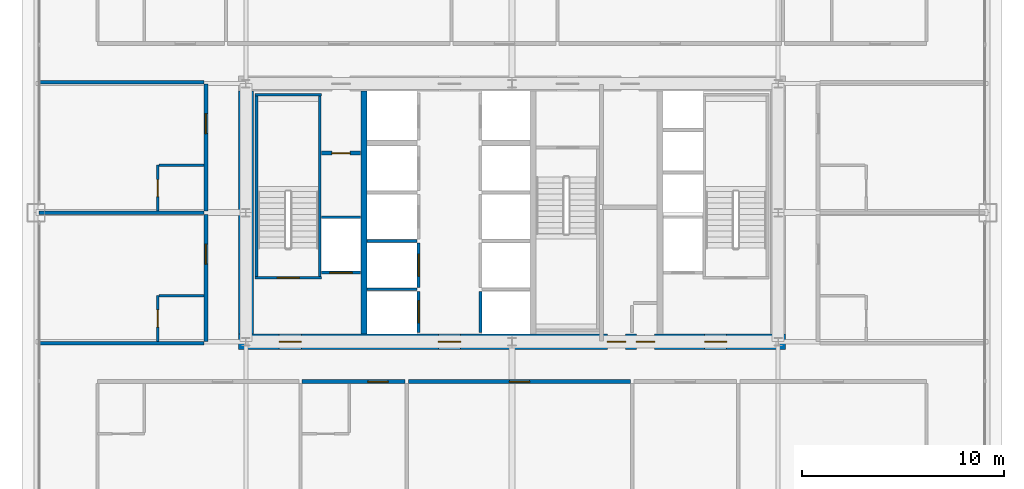
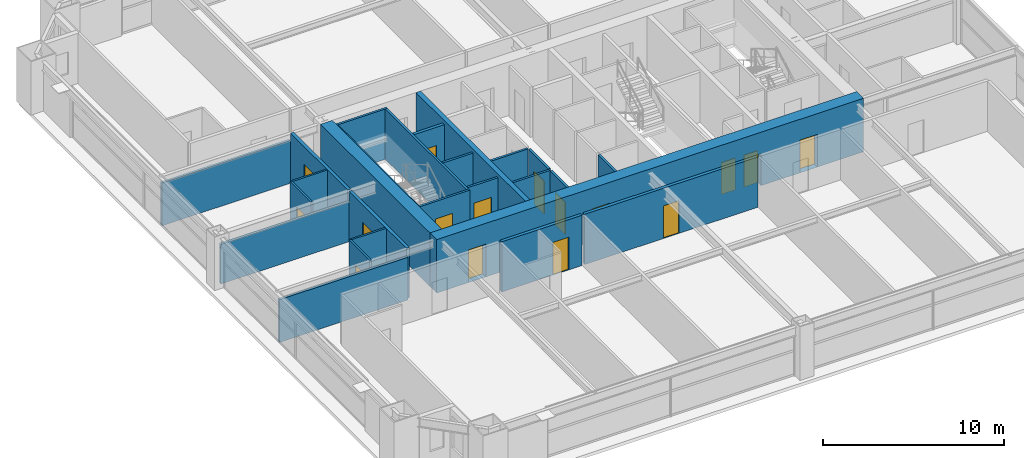
# One storey, part 35 of 39: 26 walls, 16 doors, 16 openings.
"""IFC4 building model written with IfcOpenShell, lengths in metres."""

from ifc_helpers import new_model, si_unit, direction, frame, frame_2d, origin, place, context, subcontext, project, spatial, rectangle, extrude, source, transform, mapped, material, layer, layer_set, type_object, element, fill, save


model = new_model("IFC4")

# Units and contexts
model_context = context("Model", 3, precision=1e-05, world=origin(), true_north=direction((0.0, 1.0)))
body_context = subcontext(model_context, "Body", "Model", "MODEL_VIEW")
ifc_project = project(units=[si_unit("LENGTHUNIT", "METRE"), si_unit("AREAUNIT", "SQUARE_METRE"), si_unit("VOLUMEUNIT", "CUBIC_METRE"), si_unit("PLANEANGLEUNIT", "RADIAN"), si_unit("MASSUNIT", "GRAM", prefix="KILO"), si_unit("THERMODYNAMICTEMPERATUREUNIT", "KELVIN"), si_unit("POWERUNIT", "WATT")], contexts=[model_context])

# Site, building, storey
site_placement = place(None, origin())
site = spatial("IfcSite", under=ifc_project, at=site_placement, CompositionType="ELEMENT")
building_placement = place(site_placement, origin())
building = spatial("IfcBuilding", under=site, at=building_placement, Name="Yuzanri Waterfront Tower", CompositionType="ELEMENT")
storey_placement = place(building_placement, frame((0.0, 0.0, 134.39990234375)))
storey = spatial("IfcBuildingStorey", under=building, at=storey_placement, Name="L35", CompositionType="ELEMENT", Elevation=134.39990234375)

# Wall, opening, door
ifc_material_1 = material(Name="Moisture-Resistant Gypsum Stud Wall", Category="gypsum")
ifc_layer_1 = layer(ifc_material_1, 0.1201171875)
ifc_layer_set_1 = layer_set([ifc_layer_1], Name="Moisture-Resistant Gypsum Stud Wall")
wall_type_1 = type_object("IfcWallType", Name="Bathroom and Kitchen Wet Partition 120", PredefinedType="PARTITIONING", material=ifc_layer_set_1)
wall_1_placement = place(storey_placement, frame((19.43994140625, 19.409912109375, 0.0), z_axis=(0.0, 0.0, 1.0), x_axis=(0.0, 1.0, 0.0)))
wall_1 = element("IfcWall", 1, at=wall_1_placement, inside=storey, type_object=wall_type_1, Name="L35 Partition UW-L35-W1-BW", PredefinedType="PARTITIONING", context=body_context, shape_type="SweptSolid", body=[
    extrude(rectangle(XDim=2.280029296875, YDim=0.1201171875, at=frame_2d((1.14013671875, 0.0))), origin(), (0.0, 0.0, 1.0), 3.380126953125),
])
opening_1_placement = place(wall_1_placement, frame((0.715087890625, 0.0, 0.0)))
opening_1 = element("IfcOpeningElement", 2, at=opening_1_placement, cuts=wall_1, Name="Opening ID-0850", PredefinedType="OPENING", context=body_context, shape_type="SweptSolid", body=[
    extrude(rectangle(XDim=0.85009765625, YDim=2.10009765625, at=frame_2d((0.425048828125, 1.050048828125))), frame((0.0, 0.074951171875, 0.0), z_axis=(0.0, -1.0, 0.0), x_axis=(1.0, 0.0, 0.0)), (0.0, 0.0, 1.0), 0.14990234375),
])
ifc_material_2 = material(Name="Moisture-Resistant Lacquered Timber", Category="wood")
door_type_1 = type_object("IfcDoorType", Name="En-Suite Bathroom and Kitchen Swing Door 850x2100", OperationType="NOTDEFINED", PredefinedType="DOOR", material=ifc_material_2)
shared_shape_1 = source(origin(), body_context, "Body", "SweptSolid", [
    extrude(rectangle(XDim=0.85009765625, YDim=2.10009765625, at=frame_2d((0.425048828125, 1.050048828125))), frame((0.0, 0.02490234375, 0.0), z_axis=(0.0, -1.0, 0.0), x_axis=(1.0, 0.0, 0.0)), (0.0, 0.0, 1.0), 0.050048828125),
])
door_1_placement = place(opening_1_placement, origin())
door_1 = element("IfcDoor", 3, at=door_1_placement, inside=storey, type_object=door_type_1, Name="L35 Guest En-Suite Door", OperationType="SINGLE_SWING_RIGHT", OverallHeight=2.10009765625, OverallWidth=0.85009765625, PredefinedType="DOOR", context=body_context, shape_type="MappedRepresentation", body=[
    mapped(shared_shape_1, transform((0.0, 0.0, 0.0), scale=1.0)),
])
fill(opening_1, door_1)

wall_2_placement = place(storey_placement, frame((19.43994140625, 25.8798828125, 0.0), z_axis=(0.0, 0.0, 1.0), x_axis=(0.0, 1.0, 0.0)))
wall_2 = element("IfcWall", 4, at=wall_2_placement, inside=storey, type_object=wall_type_1, Name="L35 Partition UW-L35-W2-BW", PredefinedType="PARTITIONING", context=body_context, shape_type="SweptSolid", body=[
    extrude(rectangle(XDim=2.280029296875, YDim=0.1201171875, at=frame_2d((1.14013671875, 0.0))), origin(), (0.0, 0.0, 1.0), 3.380126953125),
])
opening_2_placement = place(wall_2_placement, frame((0.715087890625, 0.0, 0.0)))
opening_2 = element("IfcOpeningElement", 5, at=opening_2_placement, cuts=wall_2, Name="Opening ID-0850", PredefinedType="OPENING", context=body_context, shape_type="SweptSolid", body=[
    extrude(rectangle(XDim=0.85009765625, YDim=2.10009765625, at=frame_2d((0.425048828125, 1.050048828125))), frame((0.0, 0.074951171875, 0.0), z_axis=(0.0, -1.0, 0.0), x_axis=(1.0, 0.0, 0.0)), (0.0, 0.0, 1.0), 0.14990234375),
])
door_2_placement = place(opening_2_placement, origin())
door_2 = element("IfcDoor", 6, at=door_2_placement, inside=storey, type_object=door_type_1, Name="L35 Guest En-Suite Door", OperationType="SINGLE_SWING_RIGHT", OverallHeight=2.10009765625, OverallWidth=0.85009765625, PredefinedType="DOOR", context=body_context, shape_type="MappedRepresentation", body=[
    mapped(shared_shape_1, transform((0.0, 0.0, 0.0), scale=1.0)),
])
fill(opening_2, door_2)

# Wall, openings, doors
ifc_material_3 = material(Name="Concrete C55", Category="concrete")
ifc_layer_2 = layer(ifc_material_3, 0.75)
ifc_layer_set_2 = layer_set([ifc_layer_2], Name="Concrete C55")
wall_type_2 = type_object("IfcWallType", Name="Concrete C55 Low-Mid Zone Core Shear Wall 750", PredefinedType="SHEAR", material=ifc_layer_set_2)
wall_3_placement = place(storey_placement, frame((23.425048828125, 19.39990234375, 0.0), z_axis=(0.0, 0.0, 1.0), x_axis=(1.0, 0.0, 0.0)))
wall_3 = element("IfcWall", 7, at=wall_3_placement, inside=storey, type_object=wall_type_2, Name="L35 Core South Shear Wall", PredefinedType="SHEAR", context=body_context, shape_type="SweptSolid", body=[
    extrude(rectangle(XDim=27.14990234375, YDim=0.75, at=frame_2d((13.574951171875, 0.0))), origin(), (0.0, 0.0, 1.0), 3.60009765625),
])
opening_3_placement = place(wall_3_placement, frame((2.02490234375, 0.0, 0.0)))
opening_3 = element("IfcOpeningElement", 8, at=opening_3_placement, cuts=wall_3, Name="Opening FD-1100", PredefinedType="OPENING", context=body_context, shape_type="SweptSolid", body=[
    extrude(rectangle(XDim=1.10009765625, YDim=2.199951171875, at=frame_2d((0.550048828125, 1.10009765625))), frame((0.0, 0.389892578125, 0.0), z_axis=(0.0, -1.0, 0.0), x_axis=(1.0, 0.0, 0.0)), (0.0, 0.0, 1.0), 0.77978515625),
])
opening_4_placement = place(wall_3_placement, frame((9.925048828125, 0.0, 0.0)))
opening_4 = element("IfcOpeningElement", 9, at=opening_4_placement, cuts=wall_3, Name="Opening FD-1100", PredefinedType="OPENING", context=body_context, shape_type="SweptSolid", body=[
    extrude(rectangle(XDim=1.10009765625, YDim=2.199951171875, at=frame_2d((0.550048828125, 1.10009765625))), frame((0.0, 0.389892578125, 0.0), z_axis=(0.0, -1.0, 0.0), x_axis=(1.0, 0.0, 0.0)), (0.0, 0.0, 1.0), 0.77978515625),
])
opening_5_placement = place(wall_3_placement, frame((23.125, 0.0, 0.0)))
opening_5 = element("IfcOpeningElement", 10, at=opening_5_placement, cuts=wall_3, Name="Opening FD-1100", PredefinedType="OPENING", context=body_context, shape_type="SweptSolid", body=[
    extrude(rectangle(XDim=1.10009765625, YDim=2.199951171875, at=frame_2d((0.550048828125, 1.10009765625))), frame((0.0, 0.389892578125, 0.0), z_axis=(0.0, -1.0, 0.0), x_axis=(1.0, 0.0, 0.0)), (0.0, 0.0, 1.0), 0.77978515625),
])
opening_6_placement = place(wall_3_placement, frame((19.7451171875, 0.0, 0.0)))
opening_6 = element("IfcOpeningElement", 11, at=opening_6_placement, cuts=wall_3, Name="Opening FD-0900", PredefinedType="OPENING", context=body_context, shape_type="SweptSolid", body=[
    extrude(rectangle(XDim=0.89990234375, YDim=2.14990234375, at=frame_2d((0.449951171875, 1.074951171875))), frame((0.0, 0.389892578125, 0.0), z_axis=(0.0, -1.0, 0.0), x_axis=(1.0, 0.0, 0.0)), (0.0, 0.0, 1.0), 0.77978515625),
])
opening_7_placement = place(wall_3_placement, frame((18.304931640625, 0.0, 0.0)))
opening_7 = element("IfcOpeningElement", 12, at=opening_7_placement, cuts=wall_3, Name="Opening FD-0900", PredefinedType="OPENING", context=body_context, shape_type="SweptSolid", body=[
    extrude(rectangle(XDim=0.89990234375, YDim=2.14990234375, at=frame_2d((0.449951171875, 1.074951171875))), frame((0.0, 0.389892578125, 0.0), z_axis=(0.0, -1.0, 0.0), x_axis=(1.0, 0.0, 0.0)), (0.0, 0.0, 1.0), 0.77978515625),
])
ifc_material_4 = material(Name="Painted Galvanized Fire Steel", Category="steel")
door_type_2 = type_object("IfcDoorType", Name="Smoke-Proof Stair and Lobby Fire Door 1100x2200", OperationType="NOTDEFINED", PredefinedType="DOOR", material=ifc_material_4)
shared_shape_2 = source(origin(), body_context, "Body", "SweptSolid", [
    extrude(rectangle(XDim=1.10009765625, YDim=2.199951171875, at=frame_2d((0.550048828125, 1.10009765625))), frame((0.0, 0.02490234375, 0.0), z_axis=(0.0, -1.0, 0.0), x_axis=(1.0, 0.0, 0.0)), (0.0, 0.0, 1.0), 0.050048828125),
])
door_3_placement = place(opening_3_placement, origin())
door_3 = element("IfcDoor", 13, at=door_3_placement, inside=storey, type_object=door_type_2, Name="L35 West Firefighting Lobby Door", OperationType="SINGLE_SWING_LEFT", OverallHeight=2.199951171875, OverallWidth=1.10009765625, PredefinedType="DOOR", context=body_context, shape_type="MappedRepresentation", body=[
    mapped(shared_shape_2, transform((0.0, 0.0, 0.0), scale=1.0)),
])
fill(opening_3, door_3)
door_4_placement = place(opening_4_placement, origin())
door_4 = element("IfcDoor", 14, at=door_4_placement, inside=storey, type_object=door_type_2, Name="L35 Central Lift Lobby South Door", OperationType="SINGLE_SWING_RIGHT", OverallHeight=2.199951171875, OverallWidth=1.10009765625, PredefinedType="DOOR", context=body_context, shape_type="MappedRepresentation", body=[
    mapped(shared_shape_2, transform((0.0, 0.0, 0.0), scale=1.0)),
])
fill(opening_4, door_4)
door_5_placement = place(opening_5_placement, origin())
door_5 = element("IfcDoor", 15, at=door_5_placement, inside=storey, type_object=door_type_2, Name="L35 East Firefighting Lobby Door", OperationType="SINGLE_SWING_LEFT", OverallHeight=2.199951171875, OverallWidth=1.10009765625, PredefinedType="DOOR", context=body_context, shape_type="MappedRepresentation", body=[
    mapped(shared_shape_2, transform((0.0, 0.0, 0.0), scale=1.0)),
])
fill(opening_5, door_5)
ifc_material_5 = material(Name="Painted Galvanized Fire Steel", Category="steel")
door_type_3 = type_object("IfcDoorType", Name="Riser and Service Room Fire Door 900x2150", OperationType="NOTDEFINED", PredefinedType="DOOR", material=ifc_material_5)
shared_shape_3 = source(origin(), body_context, "Body", "SweptSolid", [
    extrude(rectangle(XDim=0.89990234375, YDim=2.14990234375, at=frame_2d((0.449951171875, 1.074951171875))), frame((0.0, 0.02490234375, 0.0), z_axis=(0.0, -1.0, 0.0), x_axis=(1.0, 0.0, 0.0)), (0.0, 0.0, 1.0), 0.050048828125),
])
door_6_placement = place(opening_6_placement, origin())
door_6 = element("IfcDoor", 16, at=door_6_placement, inside=storey, type_object=door_type_3, Name="L35 East Wet Riser Door", OperationType="SINGLE_SWING_RIGHT", OverallHeight=2.14990234375, OverallWidth=0.89990234375, PredefinedType="DOOR", context=body_context, shape_type="MappedRepresentation", body=[
    mapped(shared_shape_3, transform((0.0, 0.0, 0.0), scale=1.0)),
])
fill(opening_6, door_6)
door_7_placement = place(opening_7_placement, origin())
door_7 = element("IfcDoor", 17, at=door_7_placement, inside=storey, type_object=door_type_3, Name="L35 Meter and Valve Store Room", OperationType="SINGLE_SWING_LEFT", OverallHeight=2.14990234375, OverallWidth=0.89990234375, PredefinedType="DOOR", context=body_context, shape_type="MappedRepresentation", body=[
    mapped(shared_shape_3, transform((0.0, 0.0, 0.0), scale=1.0)),
])
fill(opening_7, door_7)

# Wall, opening, door
ifc_material_6 = material(Name="Concrete C40", Category="concrete")
ifc_layer_3 = layer(ifc_material_6, 0.139892578125)
ifc_layer_set_3 = layer_set([ifc_layer_3], Name="Concrete C40")
wall_type_3 = type_object("IfcWallType", Name="Core Stair Liner and Hoistway Shaft Wall 140", PredefinedType="SOLIDWALL", material=ifc_layer_set_3)
wall_4_placement = place(storey_placement, frame((27.56005859375, 22.830078125, 0.0), z_axis=(0.0, 0.0, 1.0), x_axis=(1.0, 0.0, 0.0)))
wall_4 = element("IfcWall", 18, at=wall_4_placement, inside=storey, type_object=wall_type_3, Name="L35 Lift FL-01 Front Shaft Wall", PredefinedType="SOLIDWALL", context=body_context, shape_type="SweptSolid", body=[
    extrude(rectangle(XDim=1.919921875, YDim=0.139892578125, at=frame_2d((0.9599609375, 0.0))), origin(), (0.0, 0.0, 1.0), 3.380126953125),
])
opening_8_placement = place(wall_4_placement, frame((0.409912109375, 0.0, 0.0)))
opening_8 = element("IfcOpeningElement", 19, at=opening_8_placement, cuts=wall_4, Name="Opening LD-FL-01", PredefinedType="OPENING", context=body_context, shape_type="SweptSolid", body=[
    extrude(rectangle(XDim=1.10009765625, YDim=2.199951171875, at=frame_2d((0.550048828125, 1.10009765625))), frame((0.0, 0.0849609375, 0.0), z_axis=(0.0, -1.0, 0.0), x_axis=(1.0, 0.0, 0.0)), (0.0, 0.0, 1.0), 0.169677734375),
])
ifc_material_7 = material(Name="Brushed Bronze and Stainless Steel Cab", Category="steel")
door_type_4 = type_object("IfcDoorType", Name="Center-Parting Bronze Lift Landing Sliding Door 1100x2200", OperationType="NOTDEFINED", PredefinedType="DOOR", material=ifc_material_7)
shared_shape_4 = source(origin(), body_context, "Body", "SweptSolid", [
    extrude(rectangle(XDim=1.10009765625, YDim=2.199951171875, at=frame_2d((0.550048828125, 1.10009765625))), frame((0.0, 0.02490234375, 0.0), z_axis=(0.0, -1.0, 0.0), x_axis=(1.0, 0.0, 0.0)), (0.0, 0.0, 1.0), 0.050048828125),
])
door_8_placement = place(opening_8_placement, origin())
door_8 = element("IfcDoor", 20, at=door_8_placement, inside=storey, type_object=door_type_4, Name="L35 FL-01 Lift Landing Sliding Door", OperationType="SLIDING_TO_LEFT", OverallHeight=2.199951171875, OverallWidth=1.10009765625, PredefinedType="DOOR", context=body_context, shape_type="MappedRepresentation", body=[
    mapped(shared_shape_4, transform((0.0, 0.0, 0.0), scale=1.0)),
])
fill(opening_8, door_8)

wall_5_placement = place(storey_placement, frame((32.3701171875, 19.860107421875, 0.0), z_axis=(0.0, 0.0, 1.0), x_axis=(0.0, 1.0, 0.0)))
wall_5 = element("IfcWall", 21, at=wall_5_placement, inside=storey, type_object=wall_type_3, Name="L35 Lift PL-01 Front Shaft Wall", PredefinedType="SOLIDWALL", context=body_context, shape_type="SweptSolid", body=[
    extrude(rectangle(XDim=2.039794921875, YDim=0.139892578125, at=frame_2d((1.02001953125, 0.0))), origin(), (0.0, 0.0, 1.0), 3.380126953125),
])
opening_9_placement = place(wall_5_placement, frame((0.469970703125, 0.0, 0.0)))
opening_9 = element("IfcOpeningElement", 22, at=opening_9_placement, cuts=wall_5, Name="Opening LD-PL-01", PredefinedType="OPENING", context=body_context, shape_type="SweptSolid", body=[
    extrude(rectangle(XDim=1.10009765625, YDim=2.199951171875, at=frame_2d((0.550048828125, 1.10009765625))), frame((0.0, 0.0849609375, 0.0), z_axis=(0.0, -1.0, 0.0), x_axis=(1.0, 0.0, 0.0)), (0.0, 0.0, 1.0), 0.169677734375),
])
door_9_placement = place(opening_9_placement, origin())
door_9 = element("IfcDoor", 23, at=door_9_placement, inside=storey, type_object=door_type_4, Name="L35 PL-01 Lift Landing Sliding Door", OperationType="SLIDING_TO_LEFT", OverallHeight=2.199951171875, OverallWidth=1.10009765625, PredefinedType="DOOR", context=body_context, shape_type="MappedRepresentation", body=[
    mapped(shared_shape_4, transform((0.0, 0.0, 0.0), scale=1.0)),
])
fill(opening_9, door_9)

wall_6_placement = place(storey_placement, frame((32.3701171875, 22.10009765625, 0.0), z_axis=(0.0, 0.0, 1.0), x_axis=(0.0, 1.0, 0.0)))
wall_6 = element("IfcWall", 24, at=wall_6_placement, inside=storey, type_object=wall_type_3, Name="L35 Lift PL-02 Front Shaft Wall", PredefinedType="SOLIDWALL", context=body_context, shape_type="SweptSolid", body=[
    extrude(rectangle(XDim=2.199951171875, YDim=0.139892578125, at=frame_2d((1.10009765625, 0.0))), origin(), (0.0, 0.0, 1.0), 3.380126953125),
])
opening_10_placement = place(wall_6_placement, frame((0.550048828125, 0.0, 0.0)))
opening_10 = element("IfcOpeningElement", 25, at=opening_10_placement, cuts=wall_6, Name="Opening LD-PL-02", PredefinedType="OPENING", context=body_context, shape_type="SweptSolid", body=[
    extrude(rectangle(XDim=1.10009765625, YDim=2.199951171875, at=frame_2d((0.550048828125, 1.10009765625))), frame((0.0, 0.0849609375, 0.0), z_axis=(0.0, -1.0, 0.0), x_axis=(1.0, 0.0, 0.0)), (0.0, 0.0, 1.0), 0.169677734375),
])
door_10_placement = place(opening_10_placement, origin())
door_10 = element("IfcDoor", 26, at=door_10_placement, inside=storey, type_object=door_type_4, Name="L35 PL-02 Lift Landing Sliding Door", OperationType="SLIDING_TO_RIGHT", OverallHeight=2.199951171875, OverallWidth=1.10009765625, PredefinedType="DOOR", context=body_context, shape_type="MappedRepresentation", body=[
    mapped(shared_shape_4, transform((0.0, 0.0, 0.0), scale=1.0)),
])
fill(opening_10, door_10)

wall_7_placement = place(storey_placement, frame((24.260009765625, 22.570068359375, 0.0), z_axis=(0.0, 0.0, 1.0), x_axis=(1.0, 0.0, 0.0)))
wall_7 = element("IfcWall", 27, at=wall_7_placement, inside=storey, type_object=wall_type_3, Name="L35 Shaft Wall STW-L35-ST-01-S", PredefinedType="SOLIDWALL", context=body_context, shape_type="SweptSolid", body=[
    extrude(rectangle(XDim=3.280029296875, YDim=0.139892578125, at=frame_2d((1.64013671875, 0.0))), origin(), (0.0, 0.0, 1.0), 3.380126953125),
])
opening_11_placement = place(wall_7_placement, frame((1.090087890625, 0.0, 0.0)))
opening_11 = element("IfcOpeningElement", 28, at=opening_11_placement, cuts=wall_7, Name="Opening FD-1100", PredefinedType="OPENING", context=body_context, shape_type="SweptSolid", body=[
    extrude(rectangle(XDim=1.10009765625, YDim=2.199951171875, at=frame_2d((0.550048828125, 1.10009765625))), frame((0.0, 0.0849609375, 0.0), z_axis=(0.0, -1.0, 0.0), x_axis=(1.0, 0.0, 0.0)), (0.0, 0.0, 1.0), 0.169677734375),
])
door_11_placement = place(opening_11_placement, origin())
door_11 = element("IfcDoor", 29, at=door_11_placement, inside=storey, type_object=door_type_2, Name="L35 Stair ST-01 Fire Door", OperationType="SINGLE_SWING_RIGHT", OverallHeight=2.199951171875, OverallWidth=1.10009765625, PredefinedType="DOOR", context=body_context, shape_type="MappedRepresentation", body=[
    mapped(shared_shape_2, transform((0.0, 0.0, 0.0), scale=1.0)),
])
fill(opening_11, door_11)

ifc_material_8 = material(Name="Autoclaved Aerated Concrete Blockwork", Category="masonry")
ifc_layer_4 = layer(ifc_material_8, 0.199951171875)
ifc_layer_set_4 = layer_set([ifc_layer_4], Name="Autoclaved Aerated Concrete Blockwork")
wall_type_4 = type_object("IfcWallType", Name="Corridor and Unit Party Fire Wall 200", PredefinedType="PARTITIONING", material=ifc_layer_set_4)
wall_8_placement = place(storey_placement, frame((27.56005859375, 28.75, 0.0), z_axis=(0.0, 0.0, 1.0), x_axis=(1.0, 0.0, 0.0)))
wall_8 = element("IfcWall", 30, at=wall_8_placement, inside=storey, type_object=wall_type_4, Name="L35 Partition CRW-L35-ERTR", PredefinedType="PARTITIONING", context=body_context, shape_type="SweptSolid", body=[
    extrude(rectangle(XDim=1.919921875, YDim=0.199951171875, at=frame_2d((0.9599609375, 0.0))), origin(), (0.0, 0.0, 1.0), 3.380126953125),
])
opening_12_placement = place(wall_8_placement, frame((0.510009765625, 0.0, 0.0)))
opening_12 = element("IfcOpeningElement", 31, at=opening_12_placement, cuts=wall_8, Name="Opening FD-0900", PredefinedType="OPENING", context=body_context, shape_type="SweptSolid", body=[
    extrude(rectangle(XDim=0.89990234375, YDim=2.14990234375, at=frame_2d((0.449951171875, 1.074951171875))), frame((0.0, 0.11474609375, 0.0), z_axis=(0.0, -1.0, 0.0), x_axis=(1.0, 0.0, 0.0)), (0.0, 0.0, 1.0), 0.229736328125),
])
door_12_placement = place(opening_12_placement, origin())
door_12 = element("IfcDoor", 32, at=door_12_placement, inside=storey, type_object=door_type_3, Name="L35 Electrical Riser Door", OperationType="SINGLE_SWING_LEFT", OverallHeight=2.14990234375, OverallWidth=0.89990234375, PredefinedType="DOOR", context=body_context, shape_type="MappedRepresentation", body=[
    mapped(shared_shape_3, transform((0.0, 0.0, 0.0), scale=1.0)),
])
fill(opening_12, door_12)

wall_9_placement = place(storey_placement, frame((26.593994140625, 17.419921875, 0.0), z_axis=(0.0, 0.0, 1.0), x_axis=(1.0, 0.0, 0.0)))
wall_9 = element("IfcWall", 33, at=wall_9_placement, inside=storey, type_object=wall_type_4, Name="L35 Partition UW-L35-S2-CN", PredefinedType="PARTITIONING", context=body_context, shape_type="SweptSolid", body=[
    extrude(rectangle(XDim=5.10400390625, YDim=0.199951171875, at=frame_2d((2.552001953125, 0.0))), origin(), (0.0, 0.0, 1.0), 3.380126953125),
])
opening_13_placement = place(wall_9_placement, frame((3.257080078125, 0.0, 0.0)))
opening_13 = element("IfcOpeningElement", 34, at=opening_13_placement, cuts=wall_9, Name="Opening FD-1000", PredefinedType="OPENING", context=body_context, shape_type="SweptSolid", body=[
    extrude(rectangle(XDim=1.0, YDim=2.199951171875, at=frame_2d((0.5, 1.10009765625))), frame((0.0, 0.11474609375, 0.0), z_axis=(0.0, -1.0, 0.0), x_axis=(1.0, 0.0, 0.0)), (0.0, 0.0, 1.0), 0.229736328125),
])
ifc_material_9 = material(Name="Engineered Oak Fire-Rated Timber", Category="wood")
door_type_5 = type_object("IfcDoorType", Name="Guestroom and Apartment Entrance Fire Door 1000x2200", OperationType="NOTDEFINED", PredefinedType="DOOR", material=ifc_material_9)
shared_shape_5 = source(origin(), body_context, "Body", "SweptSolid", [
    extrude(rectangle(XDim=1.0, YDim=2.199951171875, at=frame_2d((0.5, 1.10009765625))), frame((0.0, 0.02490234375, 0.0), z_axis=(0.0, -1.0, 0.0), x_axis=(1.0, 0.0, 0.0)), (0.0, 0.0, 1.0), 0.050048828125),
])
door_13_placement = place(opening_13_placement, origin())
door_13 = element("IfcDoor", 35, at=door_13_placement, inside=storey, type_object=door_type_5, Name="L35 Junior Suite Entrance Door", OperationType="SINGLE_SWING_LEFT", OverallHeight=2.199951171875, OverallWidth=1.0, PredefinedType="DOOR", context=body_context, shape_type="MappedRepresentation", body=[
    mapped(shared_shape_5, transform((0.0, 0.0, 0.0), scale=1.0)),
])
fill(opening_13, door_13)

wall_10_placement = place(storey_placement, frame((31.85791015625, 17.419921875, 0.0), z_axis=(0.0, 0.0, 1.0), x_axis=(1.0, 0.0, 0.0)))
wall_10 = element("IfcWall", 36, at=wall_10_placement, inside=storey, type_object=wall_type_4, Name="L35 Partition UW-L35-S3-CN", PredefinedType="PARTITIONING", context=body_context, shape_type="SweptSolid", body=[
    extrude(rectangle(XDim=11.024169921875, YDim=0.199951171875, at=frame_2d((5.51220703125, 0.0))), origin(), (0.0, 0.0, 1.0), 3.380126953125),
])
opening_14_placement = place(wall_10_placement, frame((5.011962890625, 0.0, 0.0)))
opening_14 = element("IfcOpeningElement", 37, at=opening_14_placement, cuts=wall_10, Name="Opening FD-1000", PredefinedType="OPENING", context=body_context, shape_type="SweptSolid", body=[
    extrude(rectangle(XDim=1.0, YDim=2.199951171875, at=frame_2d((0.5, 1.10009765625))), frame((0.0, 0.11474609375, 0.0), z_axis=(0.0, -1.0, 0.0), x_axis=(1.0, 0.0, 0.0)), (0.0, 0.0, 1.0), 0.229736328125),
])
door_14_placement = place(opening_14_placement, origin())
door_14 = element("IfcDoor", 38, at=door_14_placement, inside=storey, type_object=door_type_5, Name="L35 Yoga Gym Studio Entrance Door", OperationType="SINGLE_SWING_LEFT", OverallHeight=2.199951171875, OverallWidth=1.0, PredefinedType="DOOR", context=body_context, shape_type="MappedRepresentation", body=[
    mapped(shared_shape_5, transform((0.0, 0.0, 0.0), scale=1.0)),
])
fill(opening_14, door_14)

wall_11_placement = place(storey_placement, frame((21.820068359375, 19.409912109375, 0.0), z_axis=(0.0, 0.0, 1.0), x_axis=(0.0, 1.0, 0.0)))
wall_11 = element("IfcWall", 39, at=wall_11_placement, inside=storey, type_object=wall_type_4, Name="L35 Partition UW-L35-W1-CW", PredefinedType="PARTITIONING", context=body_context, shape_type="SweptSolid", body=[
    extrude(rectangle(XDim=6.31005859375, YDim=0.199951171875, at=frame_2d((3.155029296875, 0.0))), origin(), (0.0, 0.0, 1.0), 3.380126953125),
])
opening_15_placement = place(wall_11_placement, frame((3.8349609375, 0.0, 0.0)))
opening_15 = element("IfcOpeningElement", 40, at=opening_15_placement, cuts=wall_11, Name="Opening FD-1000", PredefinedType="OPENING", context=body_context, shape_type="SweptSolid", body=[
    extrude(rectangle(XDim=1.0, YDim=2.199951171875, at=frame_2d((0.5, 1.10009765625))), frame((0.0, 0.11474609375, 0.0), z_axis=(0.0, -1.0, 0.0), x_axis=(1.0, 0.0, 0.0)), (0.0, 0.0, 1.0), 0.229736328125),
])
door_15_placement = place(opening_15_placement, origin())
door_15 = element("IfcDoor", 41, at=door_15_placement, inside=storey, type_object=door_type_5, Name="L35 West Guest Room Entrance Door", OperationType="SINGLE_SWING_LEFT", OverallHeight=2.199951171875, OverallWidth=1.0, PredefinedType="DOOR", context=body_context, shape_type="MappedRepresentation", body=[
    mapped(shared_shape_5, transform((0.0, 0.0, 0.0), scale=1.0)),
])
fill(opening_15, door_15)

wall_12_placement = place(storey_placement, frame((21.820068359375, 25.8798828125, 0.0), z_axis=(0.0, 0.0, 1.0), x_axis=(0.0, 1.0, 0.0)))
wall_12 = element("IfcWall", 42, at=wall_12_placement, inside=storey, type_object=wall_type_4, Name="L35 Partition UW-L35-W2-CW", PredefinedType="PARTITIONING", context=body_context, shape_type="SweptSolid", body=[
    extrude(rectangle(XDim=6.31005859375, YDim=0.199951171875, at=frame_2d((3.155029296875, 0.0))), origin(), (0.0, 0.0, 1.0), 3.380126953125),
])
opening_16_placement = place(wall_12_placement, frame((3.8349609375, 0.0, 0.0)))
opening_16 = element("IfcOpeningElement", 43, at=opening_16_placement, cuts=wall_12, Name="Opening FD-1000", PredefinedType="OPENING", context=body_context, shape_type="SweptSolid", body=[
    extrude(rectangle(XDim=1.0, YDim=2.199951171875, at=frame_2d((0.5, 1.10009765625))), frame((0.0, 0.11474609375, 0.0), z_axis=(0.0, -1.0, 0.0), x_axis=(1.0, 0.0, 0.0)), (0.0, 0.0, 1.0), 0.229736328125),
])
door_16_placement = place(opening_16_placement, origin())
door_16 = element("IfcDoor", 44, at=door_16_placement, inside=storey, type_object=door_type_5, Name="L35 West Guest Room Entrance Door", OperationType="SINGLE_SWING_LEFT", OverallHeight=2.199951171875, OverallWidth=1.0, PredefinedType="DOOR", context=body_context, shape_type="MappedRepresentation", body=[
    mapped(shared_shape_5, transform((0.0, 0.0, 0.0), scale=1.0)),
])
fill(opening_16, door_16)

# Walls
shared_shape_6 = source(origin(), body_context, "Body", "SweptSolid", [
    extrude(rectangle(XDim=12.050048828125, YDim=0.75, at=frame_2d((6.02490234375, 0.0))), origin(), (0.0, 0.0, 1.0), 3.60009765625),
])
wall_13_placement = place(storey_placement, frame((23.800048828125, 19.77490234375, 0.0), z_axis=(0.0, 0.0, 1.0), x_axis=(0.0, 1.0, 0.0)))
element("IfcWall", 45, at=wall_13_placement, inside=storey, type_object=wall_type_2, Name="L35 Core West Shear Wall", PredefinedType="SHEAR", context=body_context, shape_type="MappedRepresentation", body=[
    mapped(shared_shape_6, transform((0.0, 0.0, 0.0), scale=1.0)),
])
ifc_material_10 = material(Name="Concrete C50", Category="concrete")
ifc_layer_5 = layer(ifc_material_10, 0.300048828125)
ifc_layer_set_5 = layer_set([ifc_layer_5], Name="Concrete C50")
wall_type_5 = type_object("IfcWallType", Name="Concrete C50 Internal Core Shaft Structural Wall 300", PredefinedType="SOLIDWALL", material=ifc_layer_set_5)
shared_shape_7 = source(origin(), body_context, "Body", "SweptSolid", [
    extrude(rectangle(XDim=12.050048828125, YDim=0.300048828125, at=frame_2d((6.02490234375, 0.0))), origin(), (0.0, 0.0, 1.0), 3.60009765625),
])
wall_14_placement = place(storey_placement, frame((29.64990234375, 19.77490234375, 0.0), z_axis=(0.0, 0.0, 1.0), x_axis=(0.0, 1.0, 0.0)))
element("IfcWall", 46, at=wall_14_placement, inside=storey, type_object=wall_type_5, Name="L35 Core Internal Structural Web Wall 1", PredefinedType="SOLIDWALL", context=body_context, shape_type="MappedRepresentation", body=[
    mapped(shared_shape_7, transform((0.0, 0.0, 0.0), scale=1.0)),
])
shared_shape_8 = source(origin(), body_context, "Body", "SweptSolid", [
    extrude(rectangle(XDim=1.919921875, YDim=0.139892578125, at=frame_2d((0.9599609375, 0.0))), origin(), (0.0, 0.0, 1.0), 3.380126953125),
])
wall_15_placement = place(storey_placement, frame((27.56005859375, 25.570068359375, 0.0), z_axis=(0.0, 0.0, 1.0), x_axis=(1.0, 0.0, 0.0)))
element("IfcWall", 47, at=wall_15_placement, inside=storey, type_object=wall_type_3, Name="L35 Lift FL-01 Back Shaft Wall", PredefinedType="SOLIDWALL", context=body_context, shape_type="MappedRepresentation", body=[
    mapped(shared_shape_8, transform((0.0, 0.0, 0.0), scale=1.0)),
])
shared_shape_9 = source(origin(), body_context, "Body", "SweptSolid", [
    extrude(rectangle(XDim=2.5, YDim=0.139892578125, at=frame_2d((1.25, 0.0))), origin(), (0.0, 0.0, 1.0), 3.380126953125),
])
for number, where, z_axis, x_axis, name in (
    (48, (29.800048828125, 22.0, 0.0), (0.0, 0.0, 1.0), (1.0, 0.0, 0.0), "L35 Lift PL-01 Divider Wall"),
    (49, (29.800048828125, 24.39990234375, 0.0), (0.0, 0.0, 1.0), (1.0, 0.0, 0.0), "L35 Lift PL-02 Divider Wall"),
):
    element("IfcWall", number, at=place(storey_placement, frame(where, z_axis=z_axis, x_axis=x_axis)), inside=storey, type_object=wall_type_3, Name=name, PredefinedType="SOLIDWALL", context=body_context, shape_type="MappedRepresentation", body=[
        mapped(shared_shape_9, transform((0.0, 0.0, 0.0), scale=1.0)),
    ])
shared_shape_10 = source(origin(), body_context, "Body", "SweptSolid", [
    extrude(rectangle(XDim=2.039794921875, YDim=0.139892578125, at=frame_2d((1.02001953125, 0.0))), origin(), (0.0, 0.0, 1.0), 3.380126953125),
])
wall_16_placement = place(storey_placement, frame((35.429931640625, 19.860107421875, 0.0), z_axis=(0.0, 0.0, 1.0), x_axis=(0.0, 1.0, 0.0)))
element("IfcWall", 50, at=wall_16_placement, inside=storey, type_object=wall_type_3, Name="L35 Lift PL-05 Front Shaft Wall", PredefinedType="SOLIDWALL", context=body_context, shape_type="MappedRepresentation", body=[
    mapped(shared_shape_10, transform((0.0, 0.0, 0.0), scale=1.0)),
])
shared_shape_11 = source(origin(), body_context, "Body", "SweptSolid", [
    extrude(rectangle(XDim=3.280029296875, YDim=0.139892578125, at=frame_2d((1.64013671875, 0.0))), origin(), (0.0, 0.0, 1.0), 3.380126953125),
])
wall_17_placement = place(storey_placement, frame((24.260009765625, 31.64990234375, 0.0), z_axis=(0.0, 0.0, 1.0), x_axis=(1.0, 0.0, 0.0)))
element("IfcWall", 51, at=wall_17_placement, inside=storey, type_object=wall_type_3, Name="L35 Stair ST-01 North Shaft Wall", PredefinedType="SOLIDWALL", context=body_context, shape_type="MappedRepresentation", body=[
    mapped(shared_shape_11, transform((0.0, 0.0, 0.0), scale=1.0)),
])
shared_shape_12 = source(origin(), body_context, "Body", "SweptSolid", [
    extrude(rectangle(XDim=8.940185546875, YDim=0.139892578125, at=frame_2d((4.47021484375, 0.0))), origin(), (0.0, 0.0, 1.0), 3.380126953125),
])
for number, where, z_axis, x_axis, name in (
    (52, (24.330078125, 22.639892578125, 0.0), (0.0, 0.0, 1.0), (0.0, 1.0, 0.0), "L35 Stair ST-01 West Shaft Wall"),
    (53, (27.469970703125, 22.639892578125, 0.0), (0.0, 0.0, 1.0), (0.0, 1.0, 0.0), "L35 Stair ST-01 East Shaft Wall"),
):
    element("IfcWall", number, at=place(storey_placement, frame(where, z_axis=z_axis, x_axis=x_axis)), inside=storey, type_object=wall_type_3, Name=name, PredefinedType="SOLIDWALL", context=body_context, shape_type="MappedRepresentation", body=[
        mapped(shared_shape_12, transform((0.0, 0.0, 0.0), scale=1.0)),
    ])
shared_shape_13 = source(origin(), body_context, "Body", "SweptSolid", [
    extrude(rectangle(XDim=2.219970703125, YDim=0.1201171875, at=frame_2d((1.10986328125, 0.0))), origin(), (0.0, 0.0, 1.0), 3.380126953125),
])
for number, where, z_axis, x_axis, name in (
    (54, (19.5, 21.68994140625, 0.0), (0.0, 0.0, 1.0), (1.0, 0.0, 0.0), "L35-W1 En-Suite Top Wall"),
    (55, (19.5, 28.159912109375, 0.0), (0.0, 0.0, 1.0), (1.0, 0.0, 0.0), "L35-W2 En-Suite Top Wall"),
):
    element("IfcWall", number, at=place(storey_placement, frame(where, z_axis=z_axis, x_axis=x_axis)), inside=storey, type_object=wall_type_1, Name=name, PredefinedType="PARTITIONING", context=body_context, shape_type="MappedRepresentation", body=[
        mapped(shared_shape_13, transform((0.0, 0.0, 0.0), scale=1.0)),
    ])
ifc_material_11 = material(Name="Gypsum Fireboard Acoustic Stud Wall", Category="gypsum")
ifc_layer_6 = layer(ifc_material_11, 0.159912109375)
ifc_layer_set_6 = layer_set([ifc_layer_6], Name="Gypsum Fireboard Acoustic Stud Wall")
wall_type_6 = type_object("IfcWallType", Name="Acoustic Suite Demising Partition 160", PredefinedType="PARTITIONING", material=ifc_layer_set_6)
shared_shape_14 = source(origin(), body_context, "Body", "SweptSolid", [
    extrude(rectangle(XDim=8.169921875, YDim=0.159912109375, at=frame_2d((4.0849609375, 0.0))), origin(), (0.0, 0.0, 1.0), 2.675048828125),
])
wall_18_placement = place(storey_placement, frame((13.550048828125, 25.800048828125, 0.0), z_axis=(0.0, 0.0, 1.0), x_axis=(1.0, 0.0, 0.0)))
element("IfcWall", 56, at=wall_18_placement, inside=storey, type_object=wall_type_6, Name="L35-W1 Wing Party Wall", PredefinedType="PARTITIONING", context=body_context, shape_type="MappedRepresentation", body=[
    mapped(shared_shape_14, transform((0.0, 0.0, 0.0), scale=1.0)),
])
shared_shape_15 = source(origin(), body_context, "Body", "SweptSolid", [
    extrude(rectangle(XDim=8.169921875, YDim=0.159912109375, at=frame_2d((4.0849609375, 0.0))), origin(), (0.0, 0.0, 1.0), 2.875),
])
for number, where, z_axis, x_axis, name in (
    (57, (13.550048828125, 19.330078125, 0.0), (0.0, 0.0, 1.0), (1.0, 0.0, 0.0), "L35-W1 Wing South End Wall"),
    (58, (13.550048828125, 32.27001953125, 0.0), (0.0, 0.0, 1.0), (1.0, 0.0, 0.0), "L35-W2 Wing North End Wall"),
):
    element("IfcWall", number, at=place(storey_placement, frame(where, z_axis=z_axis, x_axis=x_axis)), inside=storey, type_object=wall_type_6, Name=name, PredefinedType="PARTITIONING", context=body_context, shape_type="MappedRepresentation", body=[
        mapped(shared_shape_15, transform((0.0, 0.0, 0.0), scale=1.0)),
    ])

save(model, "model.ifc")
